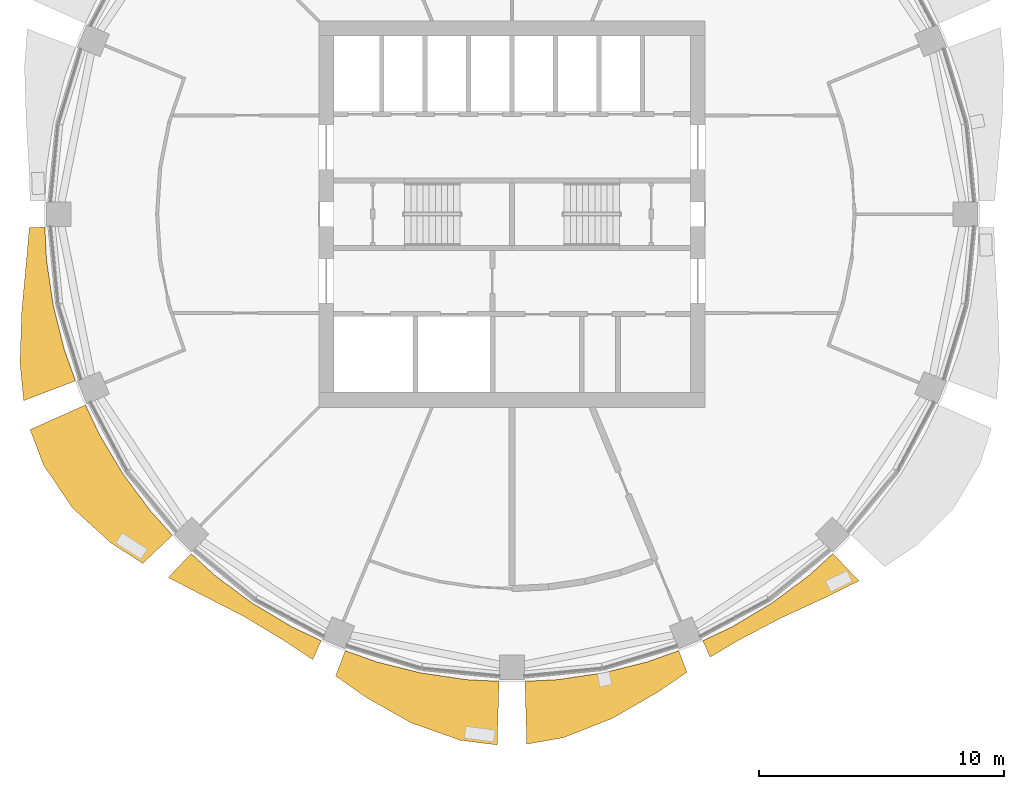
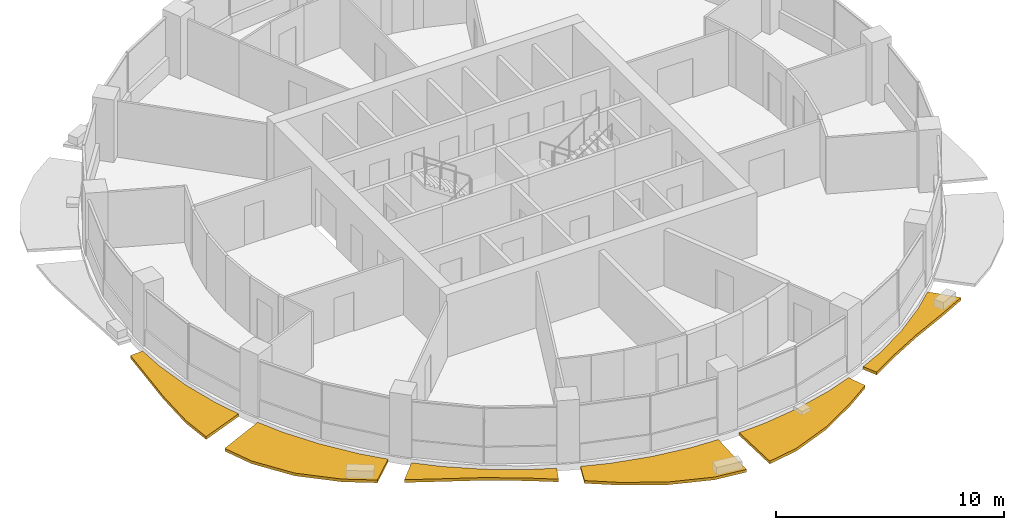
# One storey, part 12 of 15: 6 shading devices.
"""IFC4 building model written with IfcOpenShell, lengths in metres."""

from ifc_helpers import new_model, si_unit, direction, frame, origin, place, context, subcontext, project, spatial, polyline, outline, extrude, material, type_object, element, save


model = new_model("IFC4")

# Units and contexts
model_context = context("Model", 3, precision=1e-05, world=origin(), true_north=direction((0.0, 1.0)))
body_context = subcontext(model_context, "Body", "Model", "MODEL_VIEW")
ifc_project = project(units=[si_unit("LENGTHUNIT", "METRE"), si_unit("AREAUNIT", "SQUARE_METRE"), si_unit("VOLUMEUNIT", "CUBIC_METRE"), si_unit("PLANEANGLEUNIT", "RADIAN"), si_unit("MASSUNIT", "GRAM", prefix="KILO")], contexts=[model_context])

# Site, building, storey
site_placement = place(None, origin())
site = spatial("IfcSite", under=ifc_project, at=site_placement, CompositionType="ELEMENT")
building_placement = place(site_placement, origin())
building = spatial("IfcBuilding", under=site, at=building_placement, Name="Polderwave Tower", CompositionType="ELEMENT")
storey_placement = place(building_placement, frame((0.0, 0.0, 120.949951171875)))
storey = spatial("IfcBuildingStorey", under=building, at=storey_placement, Name="L31", CompositionType="ELEMENT", Elevation=120.949951171875)

# Shading devices
ifc_material = material(Name="Terracotta", Category="masonry")
shading_device_type = type_object("IfcShadingDeviceType", Name="Terracotta sunshade band", PredefinedType="USERDEFINED", material=ifc_material)
shading_device_1_placement = place(storey_placement, frame((0.0, 0.0, -0.349853515625)))
element("IfcShadingDevice", 1, at=shading_device_1_placement, inside=storey, type_object=shading_device_type, Name="Sunshade band L31 9", ObjectType="SUNSHADE", PredefinedType="USERDEFINED", context=body_context, shape_type="SweptSolid", body=[
    extrude(outline(polyline([(-19.033935546875, -0.52978515625), (-18.96826171875, -1.8681640625), (-18.69384765625, -3.718505859375), (-18.2392578125, -5.53271484375), (-17.787841796875, -6.79443359375), (-19.8955078125, -7.599609375), (-20.04736328125, -6.081298828125), (-19.9775390625, -3.973876953125), (-19.790771484375, -1.94921875), (-19.66845703125, -0.547607421875), (-19.033935546875, -0.52978515625)])), origin(), (0.0, 0.0, 1.0), 0.14990234375),
])
shading_device_2_placement = place(storey_placement, frame((0.0, 0.0, -0.349853515625)))
element("IfcShadingDevice", 2, at=shading_device_2_placement, inside=storey, type_object=shading_device_type, Name="Sunshade band L31 10", ObjectType="SUNSHADE", PredefinedType="USERDEFINED", context=body_context, shape_type="SweptSolid", body=[
    extrude(outline(polyline([(-17.38232421875, -7.7734375), (-16.809326171875, -8.98486328125), (-15.847900390625, -10.589111328125), (-14.733642578125, -12.091552734375), (-13.833740234375, -13.08447265625), (-15.046630859375, -14.231689453125), (-16.33544921875, -13.406005859375), (-17.911865234375, -11.96826171875), (-19.09814453125, -10.2080078125), (-19.634521484375, -8.78076171875), (-17.38232421875, -7.7734375)])), origin(), (0.0, 0.0, 1.0), 0.14990234375),
])
shading_device_3_placement = place(storey_placement, frame((0.0, 0.0, -0.349853515625)))
element("IfcShadingDevice", 3, at=shading_device_3_placement, inside=storey, type_object=shading_device_type, Name="Sunshade band L31 11", ObjectType="SUNSHADE", PredefinedType="USERDEFINED", context=body_context, shape_type="SweptSolid", body=[
    extrude(outline(polyline([(-13.08447265625, -13.833740234375), (-12.091552734375, -14.733642578125), (-10.589111328125, -15.847900390625), (-8.98486328125, -16.809326171875), (-7.7734375, -17.38232421875), (-8.11865234375, -18.154052734375), (-9.287841796875, -17.376220703125), (-10.946533203125, -16.3828125), (-12.70458984375, -15.48046875), (-14.00439453125, -14.806396484375), (-13.08447265625, -13.833740234375)])), origin(), (0.0, 0.0, 1.0), 0.14990234375),
])
shading_device_4_placement = place(storey_placement, frame((0.0, 0.0, -0.349853515625)))
element("IfcShadingDevice", 4, at=shading_device_4_placement, inside=storey, type_object=shading_device_type, Name="Sunshade band L31 12", ObjectType="SUNSHADE", PredefinedType="USERDEFINED", context=body_context, shape_type="SweptSolid", body=[
    extrude(outline(polyline([(-6.79443359375, -17.787841796875), (-5.53271484375, -18.2392578125), (-3.718505859375, -18.69384765625), (-1.8681640625, -18.96826171875), (-0.52978515625, -19.033935546875), (-0.602294921875, -21.630615234375), (-2.111328125, -21.437744140625), (-4.122314453125, -20.724609375), (-5.968505859375, -19.67578125), (-7.187744140625, -18.8173828125), (-6.79443359375, -17.787841796875)])), origin(), (0.0, 0.0, 1.0), 0.14990234375),
])
shading_device_5_placement = place(storey_placement, frame((0.0, 0.0, -0.349853515625)))
element("IfcShadingDevice", 5, at=shading_device_5_placement, inside=storey, type_object=shading_device_type, Name="Sunshade band L31 13", ObjectType="SUNSHADE", PredefinedType="USERDEFINED", context=body_context, shape_type="SweptSolid", body=[
    extrude(outline(polyline([(0.52978515625, -19.033935546875), (1.8681640625, -18.96826171875), (3.718505859375, -18.69384765625), (5.53271484375, -18.2392578125), (6.79443359375, -17.787841796875), (7.131103515625, -18.669677734375), (5.913330078125, -19.493408203125), (4.08740234375, -20.548583984375), (2.100830078125, -21.330322265625), (0.601318359375, -21.59814453125), (0.52978515625, -19.033935546875)])), origin(), (0.0, 0.0, 1.0), 0.14990234375),
])
shading_device_6_placement = place(storey_placement, frame((0.0, 0.0, -0.349853515625)))
element("IfcShadingDevice", 6, at=shading_device_6_placement, inside=storey, type_object=shading_device_type, Name="Sunshade band L31 14", ObjectType="SUNSHADE", PredefinedType="USERDEFINED", context=body_context, shape_type="SweptSolid", body=[
    extrude(outline(polyline([(7.7734375, -17.38232421875), (8.98486328125, -16.809326171875), (10.589111328125, -15.847900390625), (12.091552734375, -14.733642578125), (13.08447265625, -13.833740234375), (14.135986328125, -14.945556640625), (12.806884765625, -15.60546875), (10.98779296875, -16.444580078125), (9.27001953125, -17.343017578125), (8.07275390625, -18.05126953125), (7.7734375, -17.38232421875)])), origin(), (0.0, 0.0, 1.0), 0.14990234375),
])

save(model, "model.ifc")
